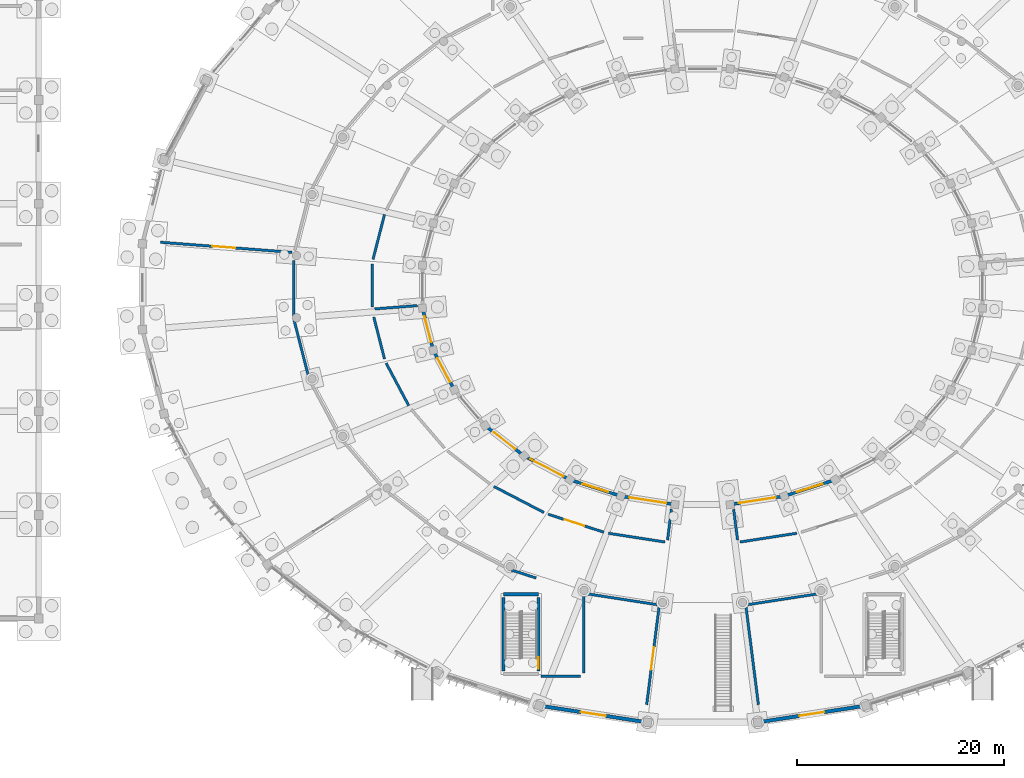
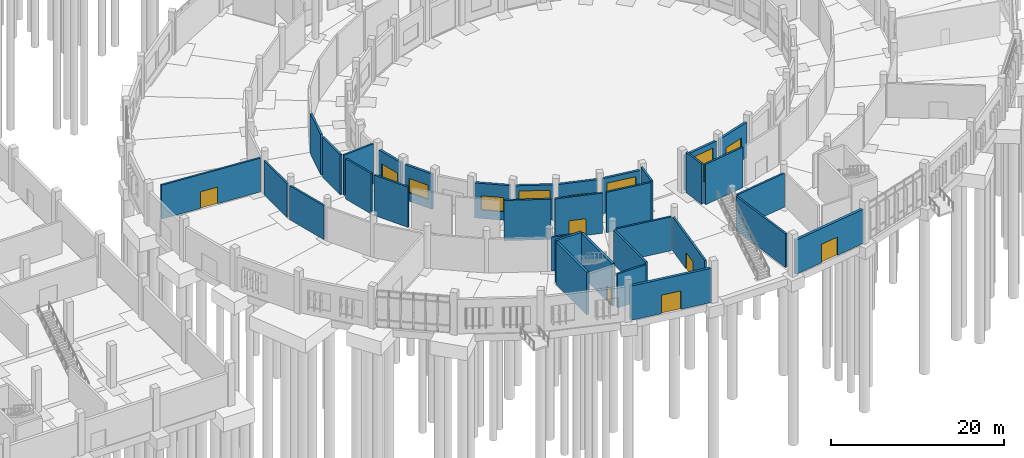
# One storey, part 79 of 140: 34 walls, 9 doors, 5 windows, 14 openings.
"""IFC4 building model written with IfcOpenShell, lengths in metres."""

from ifc_helpers import new_model, si_unit, direction, frame, frame_2d, origin, place, context, subcontext, project, spatial, rectangle, extrude, material, layer, layer_set, type_object, element, fill, save


model = new_model("IFC4")

# Units and contexts
model_context = context("Model", 3, precision=1e-05, world=origin(), true_north=direction((0.0, 1.0)))
body_context = subcontext(model_context, "Body", "Model", "MODEL_VIEW")
ifc_project = project(units=[si_unit("LENGTHUNIT", "METRE"), si_unit("AREAUNIT", "SQUARE_METRE"), si_unit("VOLUMEUNIT", "CUBIC_METRE"), si_unit("PLANEANGLEUNIT", "RADIAN"), si_unit("MASSUNIT", "GRAM", prefix="KILO")], contexts=[model_context])

# Site, building, storey
site_placement = place(None, origin())
site = spatial("IfcSite", under=ifc_project, at=site_placement, CompositionType="ELEMENT")
building_placement = place(site_placement, origin())
building = spatial("IfcBuilding", under=site, at=building_placement, Name="Corvandel Quay Wholesale Market", CompositionType="ELEMENT")
storey_placement = place(building_placement, origin())
storey = spatial("IfcBuildingStorey", under=building, at=storey_placement, Name="L00", CompositionType="ELEMENT", Elevation=0.0)

# Wall, opening, door
ifc_material_1 = material(Name="Lightweight concrete blockwork", Category="masonry")
ifc_layer_1 = layer(ifc_material_1, 0.239990234375)
ifc_layer_set_1 = layer_set([ifc_layer_1], Name="Lightweight concrete blockwork")
wall_type_1 = type_object("IfcWallType", Name="Fire Compartment Partition PT01 240", PredefinedType="PARTITIONING", material=ifc_layer_set_1)
wall_1_placement = place(storey_placement, frame((74.41748046875, 45.312744140625, 0.0), z_axis=(0.0, 0.0, 1.0), x_axis=(-0.997073231662, 0.07645240809, 0.0)))
wall_1 = element("IfcWall", 1, at=wall_1_placement, inside=storey, type_object=wall_type_1, Name="Interior Wall IW-0377", PredefinedType="PARTITIONING", context=body_context, shape_type="SweptSolid", body=[
    extrude(rectangle(XDim=12.69677734375, YDim=0.239990234375, at=frame_2d((6.348388671875, 0.0))), origin(), (0.0, 0.0, 1.0), 4.780029296875),
])
opening_1_placement = place(wall_1_placement, frame((5.498046875, 0.0, 0.0)))
opening_1 = element("IfcOpeningElement", 2, at=opening_1_placement, cuts=wall_1, Name="Opening L00-D088", PredefinedType="OPENING", context=body_context, shape_type="SweptSolid", body=[
    extrude(rectangle(XDim=2.199951171875, YDim=2.35009765625, at=frame_2d((1.10009765625, 1.175048828125))), frame((0.0, 0.1298828125, 0.0), z_axis=(0.0, -1.0, 0.0), x_axis=(1.0, 0.0, 0.0)), (0.0, 0.0, 1.0), 0.260009765625),
])
ifc_material_2 = material(Name="Stainless-clad fire-rated steel", Category="steel")
door_type_1 = type_object("IfcDoorType", Name="Hall Compartment Double Door ID04 2200x2350", OperationType="DOUBLE_DOOR_SINGLE_SWING", PredefinedType="DOOR", material=ifc_material_2)
door_1_placement = place(opening_1_placement, origin())
door_1 = element("IfcDoor", 3, at=door_1_placement, inside=storey, type_object=door_type_1, Name="Produce Wholesale Trading Hall NorthWest Door", OperationType="DOUBLE_DOOR_SINGLE_SWING", OverallHeight=2.35009765625, OverallWidth=2.199951171875, PredefinedType="DOOR", context=body_context, shape_type="SweptSolid", body=[
    extrude(rectangle(XDim=2.199951171875, YDim=2.35009765625, at=frame_2d((1.10009765625, 1.175048828125))), frame((0.0, 0.02490234375, 0.0), z_axis=(0.0, -1.0, 0.0), x_axis=(1.0, 0.0, 0.0)), (0.0, 0.0, 1.0), 0.050048828125),
])
fill(opening_1, door_1)

# Walls
wall_2_placement = place(storey_placement, frame((74.5703125, 44.52001953125, 0.0), z_axis=(0.0, 0.0, 1.0), x_axis=(0.000639707431, -0.999999795387, 0.0)))
element("IfcWall", 4, at=wall_2_placement, inside=storey, type_object=wall_type_1, Name="Interior Wall IW-0378", PredefinedType="PARTITIONING", context=body_context, shape_type="SweptSolid", body=[
    extrude(rectangle(XDim=5.343017578125, YDim=0.239990234375, at=frame_2d((2.67138671875, 0.0))), origin(), (0.0, 0.0, 1.0), 4.780029296875),
])
wall_3_placement = place(storey_placement, frame((74.62841796875, 38.743896484375, 0.0), z_axis=(0.0, 0.0, 1.0), x_axis=(0.247927746333, -0.968778526082, 0.0)))
element("IfcWall", 5, at=wall_3_placement, inside=storey, type_object=wall_type_1, Name="Interior Wall IW-0379", PredefinedType="PARTITIONING", context=body_context, shape_type="SweptSolid", body=[
    extrude(rectangle(XDim=5.695556640625, YDim=0.239990234375, at=frame_2d((2.84765625, 0.0))), origin(), (0.0, 0.0, 1.0), 4.780029296875),
])
wall_4_placement = place(storey_placement, frame((95.555419921875, 14.69140625, 0.0), z_axis=(0.0, 0.0, 1.0), x_axis=(0.951562248759, -0.30745615417, 0.0)))
element("IfcWall", 6, at=wall_4_placement, inside=storey, type_object=wall_type_1, Name="Interior Wall IW-0386", PredefinedType="PARTITIONING", context=body_context, shape_type="SweptSolid", body=[
    extrude(rectangle(XDim=2.51708984375, YDim=0.239990234375, at=frame_2d((1.258544921875, 0.0))), origin(), (0.0, 0.0, 1.0), 4.780029296875),
])
wall_5_placement = place(storey_placement, frame((98.44189453125, 4.467529296875, 0.0), z_axis=(0.0, 0.0, 1.0), x_axis=(0.999998244085, -0.001873987016, 0.0)))
element("IfcWall", 7, at=wall_5_placement, inside=storey, type_object=wall_type_1, Name="Interior Wall IW-0387", PredefinedType="PARTITIONING", context=body_context, shape_type="SweptSolid", body=[
    extrude(rectangle(XDim=3.778076171875, YDim=0.239990234375, at=frame_2d((1.88916015625, 0.0))), origin(), (0.0, 0.0, 1.0), 4.780029296875),
])
wall_6_placement = place(storey_placement, frame((102.5400390625, 4.780029296875, 0.0), z_axis=(0.0, 0.0, 1.0), x_axis=(0.0, 1.0, 0.0)))
element("IfcWall", 8, at=wall_6_placement, inside=storey, type_object=wall_type_1, Name="Interior Wall IW-0388", PredefinedType="PARTITIONING", context=body_context, shape_type="SweptSolid", body=[
    extrude(rectangle(XDim=7.44287109375, YDim=0.239990234375, at=frame_2d((3.721435546875, 0.0))), origin(), (0.0, 0.0, 1.0), 4.780029296875),
])
wall_7_placement = place(storey_placement, frame((102.75732421875, 12.409423828125, 0.0), z_axis=(0.0, 0.0, 1.0), x_axis=(0.98824485183, -0.152879406174, 0.0)))
element("IfcWall", 9, at=wall_7_placement, inside=storey, type_object=wall_type_1, Name="Interior Wall IW-0389", PredefinedType="PARTITIONING", context=body_context, shape_type="SweptSolid", body=[
    extrude(rectangle(XDim=6.938720703125, YDim=0.239990234375, at=frame_2d((3.46923828125, 0.0))), origin(), (0.0, 0.0, 1.0), 4.780029296875),
])

# Wall, opening, door
wall_8_placement = place(storey_placement, frame((109.80419921875, 11.0966796875, 0.0), z_axis=(0.0, 0.0, 1.0), x_axis=(-0.125684233178, -0.992070296668, 0.0)))
wall_8 = element("IfcWall", 10, at=wall_8_placement, inside=storey, type_object=wall_type_1, Name="Interior Wall IW-0390", PredefinedType="PARTITIONING", context=body_context, shape_type="SweptSolid", body=[
    extrude(rectangle(XDim=9.4716796875, YDim=0.239990234375, at=frame_2d((4.73583984375, 0.0))), origin(), (0.0, 0.0, 1.0), 4.780029296875),
])
opening_2_placement = place(wall_8_placement, frame((3.885986328125, 0.0, 0.0)))
opening_2 = element("IfcOpeningElement", 11, at=opening_2_placement, cuts=wall_8, Name="Opening L00-D090", PredefinedType="OPENING", context=body_context, shape_type="SweptSolid", body=[
    extrude(rectangle(XDim=2.199951171875, YDim=2.35009765625, at=frame_2d((1.10009765625, 1.175048828125))), frame((0.0, 0.1298828125, 0.0), z_axis=(0.0, -1.0, 0.0), x_axis=(1.0, 0.0, 0.0)), (0.0, 0.0, 1.0), 0.260009765625),
])
door_2_placement = place(opening_2_placement, origin())
door_2 = element("IfcDoor", 12, at=door_2_placement, inside=storey, type_object=door_type_1, Name="Citrus and Orchard Trading Hall Door", OperationType="DOUBLE_DOOR_SINGLE_SWING", OverallHeight=2.35009765625, OverallWidth=2.199951171875, PredefinedType="DOOR", context=body_context, shape_type="SweptSolid", body=[
    extrude(rectangle(XDim=2.199951171875, YDim=2.35009765625, at=frame_2d((1.10009765625, 1.175048828125))), frame((0.0, 0.02490234375, 0.0), z_axis=(0.0, -1.0, 0.0), x_axis=(1.0, 0.0, 0.0)), (0.0, 0.0, 1.0), 0.050048828125),
])
fill(opening_2, door_2)

# Walls
wall_9_placement = place(storey_placement, frame((119.38623046875, 1.7001953125, 0.0), z_axis=(0.0, 0.0, 1.0), x_axis=(-0.125684233178, 0.992070296668, 0.0)))
element("IfcWall", 13, at=wall_9_placement, inside=storey, type_object=wall_type_1, Name="Interior Wall IW-0398", PredefinedType="PARTITIONING", context=body_context, shape_type="SweptSolid", body=[
    extrude(rectangle(XDim=9.4716796875, YDim=0.239990234375, at=frame_2d((4.73583984375, 0.0))), origin(), (0.0, 0.0, 1.0), 4.780029296875),
])
wall_10_placement = place(storey_placement, frame((118.385498046875, 11.3486328125, 0.0), z_axis=(0.0, 0.0, 1.0), x_axis=(0.98824485183, 0.152879406174, 0.0)))
element("IfcWall", 14, at=wall_10_placement, inside=storey, type_object=wall_type_1, Name="Interior Wall IW-0399", PredefinedType="PARTITIONING", context=body_context, shape_type="SweptSolid", body=[
    extrude(rectangle(XDim=6.938720703125, YDim=0.239990234375, at=frame_2d((3.46923828125, 0.0))), origin(), (0.0, 0.0, 1.0), 4.780029296875),
])
wall_11_placement = place(storey_placement, frame((86.50048828125, 40.17431640625, 0.0), z_axis=(0.0, 0.0, 1.0), x_axis=(-0.997077468559, -0.07639713144, 0.0)))
element("IfcWall", 15, at=wall_11_placement, inside=storey, type_object=wall_type_1, Name="Interior Wall IW-0422", PredefinedType="PARTITIONING", context=body_context, shape_type="SweptSolid", body=[
    extrude(rectangle(XDim=4.115966796875, YDim=0.239990234375, at=frame_2d((2.05810546875, 0.0))), origin(), (0.0, 0.0, 1.0), 5.679931640625),
])
wall_12_placement = place(storey_placement, frame((82.177001953125, 40.06298828125, 0.0), z_axis=(0.0, 0.0, 1.0), x_axis=(0.0, 1.0, 0.0)))
element("IfcWall", 16, at=wall_12_placement, inside=storey, type_object=wall_type_1, Name="Interior Wall IW-0423", PredefinedType="PARTITIONING", context=body_context, shape_type="SweptSolid", body=[
    extrude(rectangle(XDim=4.14111328125, YDim=0.239990234375, at=frame_2d((2.070556640625, 0.0))), origin(), (0.0, 0.0, 1.0), 5.679931640625),
])
wall_13_placement = place(storey_placement, frame((82.2314453125, 44.63720703125, 0.0), z_axis=(0.0, 0.0, 1.0), x_axis=(0.247890468926, 0.968788065273, 0.0)))
element("IfcWall", 17, at=wall_13_placement, inside=storey, type_object=wall_type_1, Name="Interior Wall IW-0424", PredefinedType="PARTITIONING", context=body_context, shape_type="SweptSolid", body=[
    extrude(rectangle(XDim=4.470458984375, YDim=0.239990234375, at=frame_2d((2.2353515625, 0.0))), origin(), (0.0, 0.0, 1.0), 5.679931640625),
])

# Wall, opening, door
wall_14_placement = place(storey_placement, frame((104.490478515625, 18.33154296875, 0.0), z_axis=(0.0, 0.0, 1.0), x_axis=(-0.951827438235, 0.306634192193, 0.0)))
wall_14 = element("IfcWall", 18, at=wall_14_placement, inside=storey, type_object=wall_type_1, Name="Interior Wall IW-0425", PredefinedType="PARTITIONING", context=body_context, shape_type="SweptSolid", body=[
    extrude(rectangle(XDim=5.6513671875, YDim=0.239990234375, at=frame_2d((2.82568359375, 0.0))), origin(), (0.0, 0.0, 1.0), 5.679931640625),
])
opening_3_placement = place(wall_14_placement, frame((1.97607421875, 0.0, 0.0)))
opening_3 = element("IfcOpeningElement", 19, at=opening_3_placement, cuts=wall_14, Name="Opening L00-D096", PredefinedType="OPENING", context=body_context, shape_type="SweptSolid", body=[
    extrude(rectangle(XDim=2.0, YDim=2.35009765625, at=frame_2d((1.0, 1.175048828125))), frame((0.0, 0.1298828125, 0.0), z_axis=(0.0, -1.0, 0.0), x_axis=(1.0, 0.0, 0.0)), (0.0, 0.0, 1.0), 0.260009765625),
])
ifc_material_3 = material(Name="Heavy-duty anodised aluminium", Category="aluminium")
door_type_2 = type_object("IfcDoorType", Name="Trading Stall Double Door ID05 2000x2350", OperationType="DOUBLE_DOOR_SINGLE_SWING", PredefinedType="DOOR", material=ifc_material_3)
door_3_placement = place(opening_3_placement, origin())
door_3 = element("IfcDoor", 20, at=door_3_placement, inside=storey, type_object=door_type_2, Name="Produce Lorry Apron Loading Stalls SouthWest Door", OperationType="DOUBLE_DOOR_SINGLE_SWING", OverallHeight=2.35009765625, OverallWidth=2.0, PredefinedType="DOOR", context=body_context, shape_type="SweptSolid", body=[
    extrude(rectangle(XDim=2.0, YDim=2.35009765625, at=frame_2d((1.0, 1.175048828125))), frame((0.0, 0.02490234375, 0.0), z_axis=(0.0, -1.0, 0.0), x_axis=(1.0, 0.0, 0.0)), (0.0, 0.0, 1.0), 0.050048828125),
])
fill(opening_3, door_3)

# Walls
wall_15_placement = place(storey_placement, frame((98.706787109375, 20.2333984375, 0.0), z_axis=(0.0, 0.0, 1.0), x_axis=(-0.88734982981, 0.461096822301, 0.0)))
element("IfcWall", 21, at=wall_15_placement, inside=storey, type_object=wall_type_1, Name="Interior Wall IW-0426", PredefinedType="PARTITIONING", context=body_context, shape_type="SweptSolid", body=[
    extrude(rectangle(XDim=5.437255859375, YDim=0.239990234375, at=frame_2d((2.71875, 0.0))), origin(), (0.0, 0.0, 1.0), 5.679931640625),
])
wall_16_placement = place(storey_placement, frame((85.6796875, 30.526123046875, 0.0), z_axis=(0.0, 0.0, 1.0), x_axis=(-0.469990490092, 0.882671478651, 0.0)))
element("IfcWall", 22, at=wall_16_placement, inside=storey, type_object=wall_type_1, Name="Interior Wall IW-0429", PredefinedType="PARTITIONING", context=body_context, shape_type="SweptSolid", body=[
    extrude(rectangle(XDim=4.6435546875, YDim=0.239990234375, at=frame_2d((2.32177734375, 0.0))), origin(), (0.0, 0.0, 1.0), 5.679931640625),
])
wall_17_placement = place(storey_placement, frame((83.339599609375, 35.031982421875, 0.0), z_axis=(0.0, 0.0, 1.0), x_axis=(-0.247874121908, 0.96879224795, 0.0)))
element("IfcWall", 23, at=wall_17_placement, inside=storey, type_object=wall_type_1, Name="Interior Wall IW-0430", PredefinedType="PARTITIONING", context=body_context, shape_type="SweptSolid", body=[
    extrude(rectangle(XDim=4.172119140625, YDim=0.239990234375, at=frame_2d((2.0859375, 0.0))), origin(), (0.0, 0.0, 1.0), 5.679931640625),
])
wall_18_placement = place(storey_placement, frame((111.00146484375, 20.546630859375, 0.0), z_axis=(0.0, 0.0, 1.0), x_axis=(-0.125647100355, -0.992075000276, 0.0)))
element("IfcWall", 24, at=wall_18_placement, inside=storey, type_object=wall_type_1, Name="Interior Wall IW-0431", PredefinedType="PARTITIONING", context=body_context, shape_type="SweptSolid", body=[
    extrude(rectangle(XDim=3.0, YDim=0.239990234375, at=frame_2d((1.5, 0.0))), origin(), (0.0, 0.0, 1.0), 5.679931640625),
])
for number, where, z_axis, x_axis, name in (
    (25, (110.379638671875, 17.385498046875, 0.0), (0.0, 0.0, 1.0), (-0.988245226762, 0.152876982516, 0.0), "Interior Wall IW-0432"),
    (26, (123.08251953125, 18.23046875, 0.0), (0.0, 0.0, 1.0), (-0.988245226762, -0.152876982516, 0.0), "Interior Wall IW-0440"),
):
    element("IfcWall", number, at=place(storey_placement, frame(where, z_axis=z_axis, x_axis=x_axis)), inside=storey, type_object=wall_type_1, Name=name, PredefinedType="PARTITIONING", context=body_context, shape_type="SweptSolid", body=[
        extrude(rectangle(XDim=5.527099609375, YDim=0.239990234375, at=frame_2d((2.763671875, 0.0))), origin(), (0.0, 0.0, 1.0), 5.679931640625),
    ])
wall_19_placement = place(storey_placement, frame((117.37548828125, 17.5703125, 0.0), z_axis=(0.0, 0.0, 1.0), x_axis=(-0.125647100355, 0.992075000276, 0.0)))
element("IfcWall", 27, at=wall_19_placement, inside=storey, type_object=wall_type_1, Name="Interior Wall IW-0441", PredefinedType="PARTITIONING", context=body_context, shape_type="SweptSolid", body=[
    extrude(rectangle(XDim=3.0, YDim=0.239990234375, at=frame_2d((1.5, 0.0))), origin(), (0.0, 0.0, 1.0), 5.679931640625),
])

# Wall, opening, window
ifc_material_4 = material(Name="Precast concrete C45/55", Category="concrete")
ifc_layer_2 = layer(ifc_material_4, 0.300048828125)
ifc_layer_set_2 = layer_set([ifc_layer_2], Name="Precast concrete C45/55")
wall_type_2 = type_object("IfcWallType", Name="Loading Dock Apron Precast Wall EW05 300", PredefinedType="SOLIDWALL", material=ifc_layer_set_2)
wall_20_placement = place(storey_placement, frame((87.0693359375, 39.66064453125, 0.0), z_axis=(0.0, 0.0, 1.0), x_axis=(0.247868505824, -0.968793684858, 0.0)))
wall_20 = element("IfcWall", 28, at=wall_20_placement, inside=storey, type_object=wall_type_2, Name="Exterior Wall EW-0046", PredefinedType="SOLIDWALL", context=body_context, shape_type="SweptSolid", body=[
    extrude(rectangle(XDim=3.627685546875, YDim=0.300048828125, at=frame_2d((1.81396484375, 0.0))), origin(), (0.0, 0.0, 1.0), 4.949951171875),
])
opening_4_placement = place(wall_20_placement, frame((0.513916015625, 0.0, 1.199951171875)))
opening_4 = element("IfcOpeningElement", 29, at=opening_4_placement, cuts=wall_20, Name="Opening L00-W027", PredefinedType="OPENING", context=body_context, shape_type="SweptSolid", body=[
    extrude(rectangle(XDim=2.60009765625, YDim=2.0, at=frame_2d((1.300048828125, 1.0))), frame((0.0, 0.159912109375, 0.0), z_axis=(0.0, -1.0, 0.0), x_axis=(1.0, 0.0, 0.0)), (0.0, 0.0, 1.0), 0.320068359375),
])
ifc_material_5 = material(Name="Thermally broken bronze anodised aluminium and solar-control low-E double glazing", Category="aluminium")
window_type = type_object("IfcWindowType", Name="Yard Overlook Window WN05 2600x2000", PartitioningType="SINGLE_PANEL", PredefinedType="WINDOW", material=ifc_material_5)
window_1_placement = place(opening_4_placement, origin())
window_1 = element("IfcWindow", 30, at=window_1_placement, inside=storey, type_object=window_type, Name="Window L00-W027", OverallHeight=2.0, OverallWidth=2.60009765625, PartitioningType="SINGLE_PANEL", PredefinedType="WINDOW", context=body_context, shape_type="SweptSolid", body=[
    extrude(rectangle(XDim=2.60009765625, YDim=2.0, at=frame_2d((1.300048828125, 1.0))), frame((0.0, 0.030029296875, 0.0), z_axis=(0.0, -1.0, 0.0), x_axis=(1.0, 0.0, 0.0)), (0.0, 0.0, 1.0), 0.06005859375),
])
fill(opening_4, window_1)

wall_21_placement = place(storey_placement, frame((88.169677734375, 35.627685546875, 0.0), z_axis=(0.0, 0.0, 1.0), x_axis=(0.469993150061, -0.882670062309, 0.0)))
wall_21 = element("IfcWall", 31, at=wall_21_placement, inside=storey, type_object=wall_type_2, Name="Exterior Wall EW-0050", PredefinedType="SOLIDWALL", context=body_context, shape_type="SweptSolid", body=[
    extrude(rectangle(XDim=3.769775390625, YDim=0.300048828125, at=frame_2d((1.884765625, 0.0))), origin(), (0.0, 0.0, 1.0), 4.949951171875),
])
opening_5_placement = place(wall_21_placement, frame((0.5849609375, 0.0, 1.199951171875)))
opening_5 = element("IfcOpeningElement", 32, at=opening_5_placement, cuts=wall_21, Name="Opening L00-W029", PredefinedType="OPENING", context=body_context, shape_type="SweptSolid", body=[
    extrude(rectangle(XDim=2.60009765625, YDim=2.0, at=frame_2d((1.300048828125, 1.0))), frame((0.0, 0.159912109375, 0.0), z_axis=(0.0, -1.0, 0.0), x_axis=(1.0, 0.0, 0.0)), (0.0, 0.0, 1.0), 0.320068359375),
])
window_2_placement = place(opening_5_placement, origin())
window_2 = element("IfcWindow", 33, at=window_2_placement, inside=storey, type_object=window_type, Name="Window L00-W029", OverallHeight=2.0, OverallWidth=2.60009765625, PartitioningType="SINGLE_PANEL", PredefinedType="WINDOW", context=body_context, shape_type="SweptSolid", body=[
    extrude(rectangle(XDim=2.60009765625, YDim=2.0, at=frame_2d((1.300048828125, 1.0))), frame((0.0, 0.030029296875, 0.0), z_axis=(0.0, -1.0, 0.0), x_axis=(1.0, 0.0, 0.0)), (0.0, 0.0, 1.0), 0.06005859375),
])
fill(opening_5, window_2)

wall_22_placement = place(storey_placement, frame((93.2490234375, 28.441162109375, 0.0), z_axis=(0.0, 0.0, 1.0), x_axis=(0.789377228816, -0.613908454598, 0.0)))
wall_22 = element("IfcWall", 34, at=wall_22_placement, inside=storey, type_object=wall_type_2, Name="Exterior Wall EW-0055", PredefinedType="SOLIDWALL", context=body_context, shape_type="SweptSolid", body=[
    extrude(rectangle(XDim=4.20458984375, YDim=0.300048828125, at=frame_2d((2.102294921875, 0.0))), origin(), (0.0, 0.0, 1.0), 4.949951171875),
])
opening_6_placement = place(wall_22_placement, frame((0.802001953125, 0.0, 1.199951171875)))
opening_6 = element("IfcOpeningElement", 35, at=opening_6_placement, cuts=wall_22, Name="Opening L00-W033", PredefinedType="OPENING", context=body_context, shape_type="SweptSolid", body=[
    extrude(rectangle(XDim=2.60009765625, YDim=2.0, at=frame_2d((1.300048828125, 1.0))), frame((0.0, 0.159912109375, 0.0), z_axis=(0.0, -1.0, 0.0), x_axis=(1.0, 0.0, 0.0)), (0.0, 0.0, 1.0), 0.320068359375),
])
window_3_placement = place(opening_6_placement, origin())
window_3 = element("IfcWindow", 36, at=window_3_placement, inside=storey, type_object=window_type, Name="Window L00-W033", OverallHeight=2.0, OverallWidth=2.60009765625, PartitioningType="SINGLE_PANEL", PredefinedType="WINDOW", context=body_context, shape_type="SweptSolid", body=[
    extrude(rectangle(XDim=2.60009765625, YDim=2.0, at=frame_2d((1.300048828125, 1.0))), frame((0.0, 0.030029296875, 0.0), z_axis=(0.0, -1.0, 0.0), x_axis=(1.0, 0.0, 0.0)), (0.0, 0.0, 1.0), 0.06005859375),
])
fill(opening_6, window_3)

# Wall, opening, door
wall_23_placement = place(storey_placement, frame((97.03759765625, 25.558837890625, 0.0), z_axis=(0.0, 0.0, 1.0), x_axis=(0.887318897671, -0.461156344243, 0.0)))
wall_23 = element("IfcWall", 37, at=wall_23_placement, inside=storey, type_object=wall_type_2, Name="Exterior Wall EW-0058", PredefinedType="SOLIDWALL", context=body_context, shape_type="SweptSolid", body=[
    extrude(rectangle(XDim=4.423095703125, YDim=0.300048828125, at=frame_2d((2.21142578125, 0.0))), origin(), (0.0, 0.0, 1.0), 4.949951171875),
])
opening_7_placement = place(wall_23_placement, frame((0.412109375, 0.0, 0.0)))
opening_7 = element("IfcOpeningElement", 38, at=opening_7_placement, cuts=wall_23, Name="Opening L00-D010", PredefinedType="OPENING", context=body_context, shape_type="SweptSolid", body=[
    extrude(rectangle(XDim=3.60009765625, YDim=4.199951171875, at=frame_2d((1.800048828125, 2.10009765625))), frame((0.0, 0.159912109375, 0.0), z_axis=(0.0, -1.0, 0.0), x_axis=(1.0, 0.0, 0.0)), (0.0, 0.0, 1.0), 0.320068359375),
])
ifc_material_6 = material(Name="Perforated galvanised steel slats", Category="steel")
door_type_3 = type_object("IfcDoorType", Name="Produce Yard Apron Roller Shutter RS02 3600x4200", OperationType="ROLLINGUP", PredefinedType="DOOR", material=ifc_material_6)
door_4_placement = place(opening_7_placement, origin())
door_4 = element("IfcDoor", 39, at=door_4_placement, inside=storey, type_object=door_type_3, Name="Yard Loading Door V1-20", OperationType="ROLLINGUP", OverallHeight=4.199951171875, OverallWidth=3.60009765625, PredefinedType="DOOR", context=body_context, shape_type="SweptSolid", body=[
    extrude(rectangle(XDim=3.60009765625, YDim=4.199951171875, at=frame_2d((1.800048828125, 2.10009765625))), frame((0.0, 0.02490234375, 0.0), z_axis=(0.0, -1.0, 0.0), x_axis=(1.0, 0.0, 0.0)), (0.0, 0.0, 1.0), 0.050048828125),
])
fill(opening_7, door_4)

# Wall, opening, window
wall_24_placement = place(storey_placement, frame((101.4775390625, 23.30419921875, 0.0), z_axis=(0.0, 0.0, 1.0), x_axis=(0.951803081213, -0.306709788879, 0.0)))
wall_24 = element("IfcWall", 40, at=wall_24_placement, inside=storey, type_object=wall_type_2, Name="Exterior Wall EW-0061", PredefinedType="SOLIDWALL", context=body_context, shape_type="SweptSolid", body=[
    extrude(rectangle(XDim=4.6015625, YDim=0.300048828125, at=frame_2d((2.30078125, 0.0))), origin(), (0.0, 0.0, 1.0), 4.949951171875),
])
opening_8_placement = place(wall_24_placement, frame((1.0009765625, 0.0, 1.199951171875)))
opening_8 = element("IfcOpeningElement", 41, at=opening_8_placement, cuts=wall_24, Name="Opening L00-W038", PredefinedType="OPENING", context=body_context, shape_type="SweptSolid", body=[
    extrude(rectangle(XDim=2.60009765625, YDim=2.0, at=frame_2d((1.300048828125, 1.0))), frame((0.0, 0.159912109375, 0.0), z_axis=(0.0, -1.0, 0.0), x_axis=(1.0, 0.0, 0.0)), (0.0, 0.0, 1.0), 0.320068359375),
])
window_4_placement = place(opening_8_placement, origin())
window_4 = element("IfcWindow", 42, at=window_4_placement, inside=storey, type_object=window_type, Name="Window L00-W038", OverallHeight=2.0, OverallWidth=2.60009765625, PartitioningType="SINGLE_PANEL", PredefinedType="WINDOW", context=body_context, shape_type="SweptSolid", body=[
    extrude(rectangle(XDim=2.60009765625, YDim=2.0, at=frame_2d((1.300048828125, 1.0))), frame((0.0, 0.030029296875, 0.0), z_axis=(0.0, -1.0, 0.0), x_axis=(1.0, 0.0, 0.0)), (0.0, 0.0, 1.0), 0.06005859375),
])
fill(opening_8, window_4)

# Wall, opening, door
wall_25_placement = place(storey_placement, frame((106.400634765625, 21.76416015625, 0.0), z_axis=(0.0, 0.0, 1.0), x_axis=(0.988245159336, -0.152877418377, 0.0)))
wall_25 = element("IfcWall", 43, at=wall_25_placement, inside=storey, type_object=wall_type_2, Name="Exterior Wall EW-0064", PredefinedType="SOLIDWALL", context=body_context, shape_type="SweptSolid", body=[
    extrude(rectangle(XDim=4.718994140625, YDim=0.300048828125, at=frame_2d((2.359375, 0.0))), origin(), (0.0, 0.0, 1.0), 4.949951171875),
])
opening_9_placement = place(wall_25_placement, frame((0.56005859375, 0.0, 0.0)))
opening_9 = element("IfcOpeningElement", 44, at=opening_9_placement, cuts=wall_25, Name="Opening L00-D012", PredefinedType="OPENING", context=body_context, shape_type="SweptSolid", body=[
    extrude(rectangle(XDim=3.60009765625, YDim=4.199951171875, at=frame_2d((1.800048828125, 2.10009765625))), frame((0.0, 0.159912109375, 0.0), z_axis=(0.0, -1.0, 0.0), x_axis=(1.0, 0.0, 0.0)), (0.0, 0.0, 1.0), 0.320068359375),
])
door_5_placement = place(opening_9_placement, origin())
door_5 = element("IfcDoor", 45, at=door_5_placement, inside=storey, type_object=door_type_3, Name="Yard Loading Door V1-22", OperationType="ROLLINGUP", OverallHeight=4.199951171875, OverallWidth=3.60009765625, PredefinedType="DOOR", context=body_context, shape_type="SweptSolid", body=[
    extrude(rectangle(XDim=3.60009765625, YDim=4.199951171875, at=frame_2d((1.800048828125, 2.10009765625))), frame((0.0, 0.02490234375, 0.0), z_axis=(0.0, -1.0, 0.0), x_axis=(1.0, 0.0, 0.0)), (0.0, 0.0, 1.0), 0.050048828125),
])
fill(opening_9, door_5)

wall_26_placement = place(storey_placement, frame((116.935791015625, 21.042724609375, 0.0), z_axis=(0.0, 0.0, 1.0), x_axis=(0.988245159336, 0.152877418377, 0.0)))
wall_26 = element("IfcWall", 46, at=wall_26_placement, inside=storey, type_object=wall_type_2, Name="Exterior Wall EW-0068", PredefinedType="SOLIDWALL", context=body_context, shape_type="SweptSolid", body=[
    extrude(rectangle(XDim=4.718994140625, YDim=0.300048828125, at=frame_2d((2.359375, 0.0))), origin(), (0.0, 0.0, 1.0), 4.949951171875),
])
opening_10_placement = place(wall_26_placement, frame((0.56005859375, 0.0, 0.0)))
opening_10 = element("IfcOpeningElement", 47, at=opening_10_placement, cuts=wall_26, Name="Opening L00-D014", PredefinedType="OPENING", context=body_context, shape_type="SweptSolid", body=[
    extrude(rectangle(XDim=3.60009765625, YDim=4.199951171875, at=frame_2d((1.800048828125, 2.10009765625))), frame((0.0, 0.159912109375, 0.0), z_axis=(0.0, -1.0, 0.0), x_axis=(1.0, 0.0, 0.0)), (0.0, 0.0, 1.0), 0.320068359375),
])
door_6_placement = place(opening_10_placement, origin())
door_6 = element("IfcDoor", 48, at=door_6_placement, inside=storey, type_object=door_type_3, Name="Yard Loading Door V1-24", OperationType="ROLLINGUP", OverallHeight=4.199951171875, OverallWidth=3.60009765625, PredefinedType="DOOR", context=body_context, shape_type="SweptSolid", body=[
    extrude(rectangle(XDim=3.60009765625, YDim=4.199951171875, at=frame_2d((1.800048828125, 2.10009765625))), frame((0.0, 0.02490234375, 0.0), z_axis=(0.0, -1.0, 0.0), x_axis=(1.0, 0.0, 0.0)), (0.0, 0.0, 1.0), 0.050048828125),
])
fill(opening_10, door_6)

# Wall, opening, window
wall_27_placement = place(storey_placement, frame((122.142578125, 21.892822265625, 0.0), z_axis=(0.0, 0.0, 1.0), x_axis=(0.951803081213, 0.306709788879, 0.0)))
wall_27 = element("IfcWall", 49, at=wall_27_placement, inside=storey, type_object=wall_type_2, Name="Exterior Wall EW-0071", PredefinedType="SOLIDWALL", context=body_context, shape_type="SweptSolid", body=[
    extrude(rectangle(XDim=4.6015625, YDim=0.300048828125, at=frame_2d((2.30078125, 0.0))), origin(), (0.0, 0.0, 1.0), 4.949951171875),
])
opening_11_placement = place(wall_27_placement, frame((1.0009765625, 0.0, 1.199951171875)))
opening_11 = element("IfcOpeningElement", 50, at=opening_11_placement, cuts=wall_27, Name="Opening L00-W039", PredefinedType="OPENING", context=body_context, shape_type="SweptSolid", body=[
    extrude(rectangle(XDim=2.60009765625, YDim=2.0, at=frame_2d((1.300048828125, 1.0))), frame((0.0, 0.159912109375, 0.0), z_axis=(0.0, -1.0, 0.0), x_axis=(1.0, 0.0, 0.0)), (0.0, 0.0, 1.0), 0.320068359375),
])
window_5_placement = place(opening_11_placement, origin())
window_5 = element("IfcWindow", 51, at=window_5_placement, inside=storey, type_object=window_type, Name="Window L00-W039", OverallHeight=2.0, OverallWidth=2.60009765625, PartitioningType="SINGLE_PANEL", PredefinedType="WINDOW", context=body_context, shape_type="SweptSolid", body=[
    extrude(rectangle(XDim=2.60009765625, YDim=2.0, at=frame_2d((1.300048828125, 1.0))), frame((0.0, 0.030029296875, 0.0), z_axis=(0.0, -1.0, 0.0), x_axis=(1.0, 0.0, 0.0)), (0.0, 0.0, 1.0), 0.06005859375),
])
fill(opening_11, window_5)

# Walls
ifc_material_7 = material(Name="Concrete C40/50", Category="concrete")
ifc_layer_3 = layer(ifc_material_7, 0.300048828125)
ifc_layer_set_3 = layer_set([ifc_layer_3], Name="Concrete C40/50")
wall_type_3 = type_object("IfcWallType", Name="Stair Shaft Shear Wall SW02 300", PredefinedType="SHEAR", material=ifc_layer_set_3)
wall_28_placement = place(storey_placement, frame((94.800048828125, 12.35009765625, 0.0), z_axis=(0.0, 0.0, 1.0), x_axis=(1.0, 0.0, 0.0)))
element("IfcWall", 52, at=wall_28_placement, inside=storey, type_object=wall_type_3, Name="Shear Wall IW-0026", PredefinedType="SHEAR", context=body_context, shape_type="SweptSolid", body=[
    extrude(rectangle(XDim=3.39990234375, YDim=0.300048828125, at=frame_2d((1.699951171875, 0.0))), origin(), (0.0, 0.0, 1.0), 6.0),
])
wall_29_placement = place(storey_placement, frame((94.800048828125, 4.93994140625, 0.0), z_axis=(0.0, 0.0, 1.0), x_axis=(0.0, 1.0, 0.0)))
element("IfcWall", 53, at=wall_29_placement, inside=storey, type_object=wall_type_3, Name="Shear Wall IW-0027", PredefinedType="SHEAR", context=body_context, shape_type="SweptSolid", body=[
    extrude(rectangle(XDim=7.1201171875, YDim=0.300048828125, at=frame_2d((3.56005859375, 0.0))), origin(), (0.0, 0.0, 1.0), 6.0),
])

# Wall, opening, door
wall_30_placement = place(storey_placement, frame((98.199951171875, 4.93994140625, 0.0), z_axis=(0.0, 0.0, 1.0), x_axis=(0.0, 1.0, 0.0)))
wall_30 = element("IfcWall", 54, at=wall_30_placement, inside=storey, type_object=wall_type_3, Name="Shear Wall IW-0028", PredefinedType="SHEAR", context=body_context, shape_type="SweptSolid", body=[
    extrude(rectangle(XDim=7.1201171875, YDim=0.300048828125, at=frame_2d((3.56005859375, 0.0))), origin(), (0.0, 0.0, 1.0), 6.0),
])
opening_12_placement = place(wall_30_placement, frame((0.219970703125, 0.0, 0.0)))
opening_12 = element("IfcOpeningElement", 55, at=opening_12_placement, cuts=wall_30, Name="Opening L00-D058", PredefinedType="OPENING", context=body_context, shape_type="SweptSolid", body=[
    extrude(rectangle(XDim=1.10009765625, YDim=2.199951171875, at=frame_2d((0.550048828125, 1.10009765625))), frame((0.0, 0.159912109375, 0.0), z_axis=(0.0, -1.0, 0.0), x_axis=(1.0, 0.0, 0.0)), (0.0, 0.0, 1.0), 0.320068359375),
])
ifc_material_8 = material(Name="Galvanised fire-rated hollow steel", Category="steel")
door_type_4 = type_object("IfcDoorType", Name="Exit Stair Fire Door ID01 1100x2200L", OperationType="SINGLE_SWING_LEFT", PredefinedType="DOOR", material=ifc_material_8)
door_7_placement = place(opening_12_placement, origin())
door_7 = element("IfcDoor", 56, at=door_7_placement, inside=storey, type_object=door_type_4, Name="Exit Stair Door SH03-L00", OperationType="SINGLE_SWING_LEFT", OverallHeight=2.199951171875, OverallWidth=1.10009765625, PredefinedType="DOOR", context=body_context, shape_type="SweptSolid", body=[
    extrude(rectangle(XDim=1.10009765625, YDim=2.199951171875, at=frame_2d((0.550048828125, 1.10009765625))), frame((0.0, 0.02490234375, 0.0), z_axis=(0.0, -1.0, 0.0), x_axis=(1.0, 0.0, 0.0)), (0.0, 0.0, 1.0), 0.050048828125),
])
fill(opening_12, door_7)

ifc_material_9 = material(Name="Terracotta precast concrete C45/55", Category="masonry")
ifc_layer_4 = layer(ifc_material_9, 0.340087890625)
ifc_layer_set_4 = layer_set([ifc_layer_4], Name="Terracotta precast concrete C45/55")
wall_type_4 = type_object("IfcWallType", Name="Terracotta Ribbed Precast Wall EW01 340", PredefinedType="SOLIDWALL", material=ifc_layer_set_4)
wall_31_placement = place(storey_placement, frame((98.515869140625, 1.57275390625, 0.0), z_axis=(0.0, 0.0, 1.0), x_axis=(0.988241433344, -0.152901502352, 0.0)))
wall_31 = element("IfcWall", 57, at=wall_31_placement, inside=storey, type_object=wall_type_4, Name="Exterior Wall EW-0062", PredefinedType="SOLIDWALL", context=body_context, shape_type="SweptSolid", body=[
    extrude(rectangle(XDim=10.01611328125, YDim=0.340087890625, at=frame_2d((5.008056640625, 0.0))), origin(), (0.0, 0.0, 1.0), 4.830078125),
])
opening_13_placement = place(wall_31_placement, frame((3.80810546875, 0.0, 0.0)))
opening_13 = element("IfcOpeningElement", 58, at=opening_13_placement, cuts=wall_31, Name="Opening L00-D011", PredefinedType="OPENING", context=body_context, shape_type="SweptSolid", body=[
    extrude(rectangle(XDim=2.39990234375, YDim=2.60009765625, at=frame_2d((1.199951171875, 1.300048828125))), frame((0.0, 0.179931640625, 0.0), z_axis=(0.0, -1.0, 0.0), x_axis=(1.0, 0.0, 0.0)), (0.0, 0.0, 1.0), 0.360107421875),
])
ifc_material_10 = material(Name="Bronze anodised aluminium and laminated glass", Category="aluminium")
door_type_5 = type_object("IfcDoorType", Name="Main Market Double Entrance Door ED01 2400x2600", OperationType="DOUBLE_DOOR_SINGLE_SWING", PredefinedType="DOOR", material=ifc_material_10)
door_8_placement = place(opening_13_placement, origin())
door_8 = element("IfcDoor", 59, at=door_8_placement, inside=storey, type_object=door_type_5, Name="Main Pedestrian Exit V1-22", OperationType="DOUBLE_DOOR_SINGLE_SWING", OverallHeight=2.60009765625, OverallWidth=2.39990234375, PredefinedType="DOOR", context=body_context, shape_type="SweptSolid", body=[
    extrude(rectangle(XDim=2.39990234375, YDim=2.60009765625, at=frame_2d((1.199951171875, 1.300048828125))), frame((0.0, 0.02490234375, 0.0), z_axis=(0.0, -1.0, 0.0), x_axis=(1.0, 0.0, 0.0)), (0.0, 0.0, 1.0), 0.050048828125),
])
fill(opening_13, door_8)

wall_32_placement = place(storey_placement, frame((119.585693359375, 0.041259765625, 0.0), z_axis=(0.0, 0.0, 1.0), x_axis=(0.988241433344, 0.152901502352, 0.0)))
wall_32 = element("IfcWall", 60, at=wall_32_placement, inside=storey, type_object=wall_type_4, Name="Exterior Wall EW-0067", PredefinedType="SOLIDWALL", context=body_context, shape_type="SweptSolid", body=[
    extrude(rectangle(XDim=10.01611328125, YDim=0.340087890625, at=frame_2d((5.008056640625, 0.0))), origin(), (0.0, 0.0, 1.0), 4.830078125),
])
opening_14_placement = place(wall_32_placement, frame((3.80810546875, 0.0, 0.0)))
opening_14 = element("IfcOpeningElement", 61, at=opening_14_placement, cuts=wall_32, Name="Opening L00-D013", PredefinedType="OPENING", context=body_context, shape_type="SweptSolid", body=[
    extrude(rectangle(XDim=2.39990234375, YDim=2.60009765625, at=frame_2d((1.199951171875, 1.300048828125))), frame((0.0, 0.179931640625, 0.0), z_axis=(0.0, -1.0, 0.0), x_axis=(1.0, 0.0, 0.0)), (0.0, 0.0, 1.0), 0.360107421875),
])
door_9_placement = place(opening_14_placement, origin())
door_9 = element("IfcDoor", 62, at=door_9_placement, inside=storey, type_object=door_type_5, Name="Main Pedestrian Exit V1-24", OperationType="DOUBLE_DOOR_SINGLE_SWING", OverallHeight=2.60009765625, OverallWidth=2.39990234375, PredefinedType="DOOR", context=body_context, shape_type="SweptSolid", body=[
    extrude(rectangle(XDim=2.39990234375, YDim=2.60009765625, at=frame_2d((1.199951171875, 1.300048828125))), frame((0.0, 0.02490234375, 0.0), z_axis=(0.0, -1.0, 0.0), x_axis=(1.0, 0.0, 0.0)), (0.0, 0.0, 1.0), 0.050048828125),
])
fill(opening_14, door_9)

save(model, "model.ifc")
